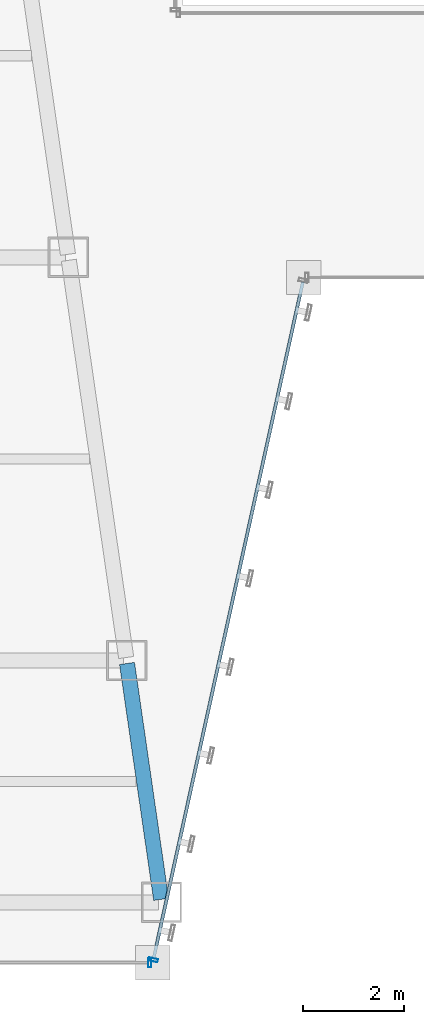
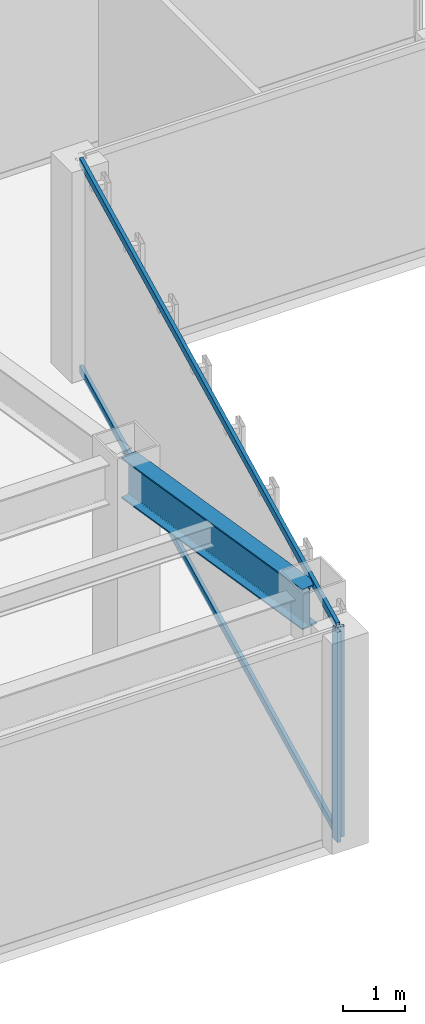
# One storey, part 7 of 47: 4 members, 1 beam, 2 elements without a shape of their own.
"""IFC4 building model written with IfcOpenShell, lengths in metres."""

from ifc_helpers import new_model, si_unit, direction, frame, origin, origin_2d, place, context, subcontext, project, spatial, hollow_rectangle, i_section, extrude, material, material_profile, profile_set, type_object, element, aggregate, save


model = new_model("IFC4")

# Units and contexts
model_context = context("Model", 3, precision=1e-05, world=origin(), true_north=direction((0.0, 1.0)))
body_context = subcontext(model_context, "Body", "Model", "MODEL_VIEW")
ifc_project = project(units=[si_unit("LENGTHUNIT", "METRE"), si_unit("AREAUNIT", "SQUARE_METRE"), si_unit("VOLUMEUNIT", "CUBIC_METRE"), si_unit("PLANEANGLEUNIT", "RADIAN"), si_unit("MASSUNIT", "GRAM", prefix="KILO")], contexts=[model_context])

# Site, building, storey
site_placement = place(None, origin())
site = spatial("IfcSite", under=ifc_project, at=site_placement, CompositionType="ELEMENT")
building_placement = place(site_placement, origin())
building = spatial("IfcBuilding", under=site, at=building_placement, Name="Saevonmaru Cultural Tower", CompositionType="ELEMENT")
storey_placement = place(building_placement, frame((0.0, 0.0, 92.800048828125)))
storey = spatial("IfcBuildingStorey", under=building, at=storey_placement, Name="L19", CompositionType="ELEMENT", Elevation=92.800048828125)

# Beam
ifc_material_1 = material(Name="Steel SM420", Category="steel")
ifc_material_profile_1 = material_profile(ifc_material_1, i_section(OverallWidth=0.300048828125, OverallDepth=0.800048828125, WebThickness=0.013916015625, FlangeThickness=0.02587890625, FilletRadius=0.028076171875, at=origin_2d()), Name="H-800x300x14x26")
ifc_profile_set_1 = profile_set([ifc_material_profile_1], Name="Steel SM420")
beam_type = type_object("IfcBeamType", Name="BM-G-H800", PredefinedType="BEAM", material=ifc_profile_set_1)
beam_placement = place(storey_placement, frame((23.768310546875, 3.259521484375, 3.75), z_axis=(-0.143083234893, 0.989710658674, 0.0), x_axis=(-0.989710658674, -0.143083234893, 0.0)))
element("IfcBeam", 1, at=beam_placement, inside=storey, type_object=beam_type, Name="L19 West Atrium Girder 1", PredefinedType="BEAM", context=body_context, shape_type="SweptSolid", body=[
    extrude(i_section(OverallWidth=0.300048828125, OverallDepth=0.800048828125, WebThickness=0.013916015625, FlangeThickness=0.02587890625, FilletRadius=0.028076171875, at=origin_2d()), origin(), (0.0, 0.0, 1.0), 4.729736328125),
])

# Curtain wall, member
ifc_material_2 = material(Name="Satin Bronze Anodised Aluminium", Category="aluminium")
curtain_wall_type = type_object("IfcCurtainWallType", Name="CW-TYP-A", PredefinedType="NOTDEFINED", material=ifc_material_2)
curtain_wall_1_placement = place(storey_placement, origin())
curtain_wall_1 = element("IfcCurtainWall", 2, at=curtain_wall_1_placement, inside=storey, type_object=curtain_wall_type, Name="L19 Unitised Curtain Wall E2", PredefinedType="NOTDEFINED")
ifc_material_profile_2 = material_profile(ifc_material_2, hollow_rectangle(XDim=0.06494140625, YDim=0.179931640625, WallThickness=0.00390625, at=origin_2d()), Name="ALU-MULL-180x65x4")
ifc_profile_set_2 = profile_set([ifc_material_profile_2], Name="Satin Bronze Anodised Aluminium")
member_type_1 = type_object("IfcMemberType", Name="ML-CW-180x65", PredefinedType="MULLION", material=ifc_profile_set_2)
member_1_placement = place(storey_placement, frame((23.5400390625, 2.0, 0.0), z_axis=(0.0, 0.0, 1.0), x_axis=(1.0, 0.0, 0.0)))
member_1 = element("IfcMember", 3, at=member_1_placement, type_object=member_type_1, Name="CW-TW-L19-E2 mullion 2", PredefinedType="MULLION", context=body_context, shape_type="SweptSolid", body=[
    extrude(hollow_rectangle(XDim=0.06494140625, YDim=0.179931640625, WallThickness=0.00390625, at=origin_2d()), origin(), (0.0, 0.0, 1.0), 4.14990234375),
])
aggregate(curtain_wall_1, [member_1])

# Curtain wall, members
curtain_wall_2_placement = place(storey_placement, origin())
curtain_wall_2 = element("IfcCurtainWall", 4, at=curtain_wall_2_placement, inside=storey, type_object=curtain_wall_type, Name="L19 Unitised Curtain Wall E3", PredefinedType="NOTDEFINED")
member_2_placement = place(storey_placement, frame((23.61279296875, 2.05859375, 0.0), z_axis=(0.0, 0.0, 1.0), x_axis=(0.215413319953, 0.976522965212, 0.0)))
member_2 = element("IfcMember", 5, at=member_2_placement, type_object=member_type_1, Name="CW-TW-L19-E3 mullion 1", PredefinedType="MULLION", context=body_context, shape_type="SweptSolid", body=[
    extrude(hollow_rectangle(XDim=0.06494140625, YDim=0.179931640625, WallThickness=0.00390625, at=origin_2d()), origin(), (0.0, 0.0, 1.0), 4.14990234375),
])
ifc_material_profile_3 = material_profile(ifc_material_2, hollow_rectangle(XDim=0.06494140625, YDim=0.14990234375, WallThickness=0.00390625, at=origin_2d()), Name="ALU-TRAN-150x65x4")
ifc_profile_set_3 = profile_set([ifc_material_profile_3], Name="Satin Bronze Anodised Aluminium")
member_type_2 = type_object("IfcMemberType", Name="TR-CW-150x65", PredefinedType="USERDEFINED", material=ifc_profile_set_3)
member_3_placement = place(storey_placement, frame((23.619873046875, 2.09033203125, 0.032470703125), z_axis=(0.21541214732, 0.976523223885, 0.0), x_axis=(-0.976523223885, 0.21541214732, 0.0)))
member_3 = element("IfcMember", 6, at=member_3_placement, type_object=member_type_2, Name="CW-TW-L19-E3 transom 1.1", ObjectType="TRANSOM", PredefinedType="USERDEFINED", context=body_context, shape_type="SweptSolid", body=[
    extrude(hollow_rectangle(XDim=0.06494140625, YDim=0.14990234375, WallThickness=0.00390625, at=origin_2d()), origin(), (0.0, 0.0, 1.0), 13.741943359375),
])
member_4_placement = place(storey_placement, frame((23.619873046875, 2.09033203125, 4.117431640625), z_axis=(0.21541214732, 0.976523223885, 0.0), x_axis=(-0.976523223885, 0.21541214732, 0.0)))
member_4 = element("IfcMember", 7, at=member_4_placement, type_object=member_type_2, Name="CW-TW-L19-E3 transom 1.2", ObjectType="TRANSOM", PredefinedType="USERDEFINED", context=body_context, shape_type="SweptSolid", body=[
    extrude(hollow_rectangle(XDim=0.06494140625, YDim=0.14990234375, WallThickness=0.00390625, at=origin_2d()), origin(), (0.0, 0.0, 1.0), 13.741943359375),
])
aggregate(curtain_wall_2, [member_2, member_3, member_4])

save(model, "model.ifc")
